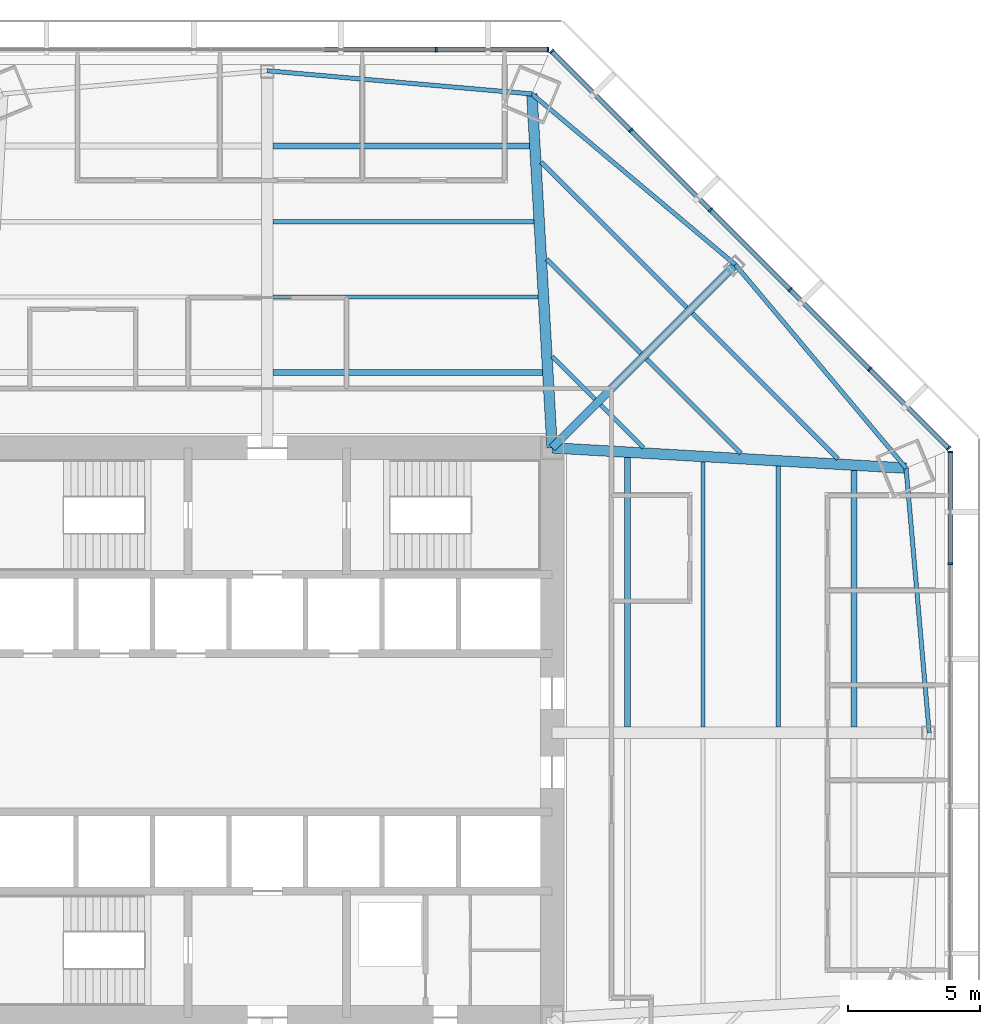
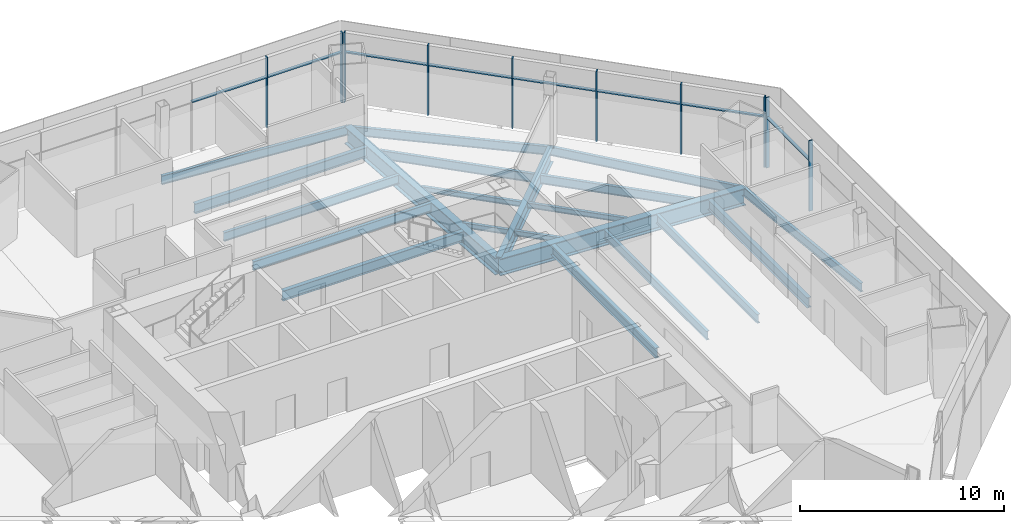
# One storey, part 6 of 15: 21 beams, 18 members, 3 elements without a shape of their own.
"""IFC4 building model written with IfcOpenShell, lengths in metres."""

from ifc_helpers import new_model, si_unit, direction, frame, origin, origin_2d, place, context, subcontext, project, spatial, rectangle, i_section, extrude, source, transform, mapped, material, material_profile, profile_set, type_object, type_shapes, element, aggregate, save


model = new_model("IFC4")

# Units and contexts
model_context = context("Model", 3, precision=1e-05, world=origin(), true_north=direction((0.0, 1.0)))
body_context = subcontext(model_context, "Body", "Model", "MODEL_VIEW")
ifc_project = project(units=[si_unit("LENGTHUNIT", "METRE"), si_unit("AREAUNIT", "SQUARE_METRE"), si_unit("VOLUMEUNIT", "CUBIC_METRE"), si_unit("PLANEANGLEUNIT", "RADIAN"), si_unit("MASSUNIT", "GRAM", prefix="KILO")], contexts=[model_context])

# Site, building, storey
site_placement = place(None, origin())
site = spatial("IfcSite", under=ifc_project, at=site_placement, CompositionType="ELEMENT")
building_placement = place(site_placement, origin())
building = spatial("IfcBuilding", under=site, at=building_placement, Name="Mashrafa Tower", CompositionType="ELEMENT")
storey_placement = place(building_placement, frame((0.0, 0.0, 75.0)))
storey = spatial("IfcBuildingStorey", under=building, at=storey_placement, Name="L16", CompositionType="ELEMENT", Elevation=75.0)

# Beams
ifc_material_1 = material(Name="Steel ASTM A992", Category="steel")
ifc_material_profile_1 = material_profile(ifc_material_1, i_section(OverallWidth=0.164794921875, OverallDepth=0.309814453125, WebThickness=0.005859375, FlangeThickness=0.009765625, FilletRadius=0.007568359375, at=origin_2d()), Name="W12X26")
ifc_profile_set_1 = profile_set([ifc_material_profile_1], Name="Steel ASTM A992")
beam_type_1 = type_object("IfcBeamType", Name="Beam W12X26", PredefinedType="BEAM", material=ifc_profile_set_1)
beam_1_placement = place(storey_placement, frame((10.591552734375, 17.955078125, -0.31982421875), z_axis=(0.707106781187, -0.707106781187, 0.0), x_axis=(0.707106781187, 0.707106781187, 0.0)))
element("IfcBeam", 1, at=beam_1_placement, inside=storey, type_object=beam_type_1, Name="Floor beam L16 036", PredefinedType="BEAM", context=body_context, shape_type="SweptSolid", body=[
    extrude(i_section(OverallWidth=0.164794921875, OverallDepth=0.309814453125, WebThickness=0.005859375, FlangeThickness=0.009765625, FilletRadius=0.007568359375, at=origin_2d()), origin(), (0.0, 0.0, 1.0), 5.054443359375),
])
for number, where, z_axis, x_axis, name in (
    (2, (10.802490234375, 14.27099609375, -0.31982421875), (0.707106781187, -0.707106781187, 0.0), (0.707106781187, 0.707106781187, 0.0), "Floor beam L16 038"),
    (3, (12.64453125, 12.428955078125, -0.31982421875), (0.707106781187, -0.707106781187, 0.0), (0.707106781187, 0.707106781187, 0.0), "Floor beam L16 041"),
):
    element("IfcBeam", number, at=place(storey_placement, frame(where, z_axis=z_axis, x_axis=x_axis)), inside=storey, type_object=beam_type_1, Name=name, PredefinedType="BEAM", context=body_context, shape_type="SweptSolid", body=[
        extrude(i_section(OverallWidth=0.164794921875, OverallDepth=0.309814453125, WebThickness=0.005859375, FlangeThickness=0.009765625, FilletRadius=0.007568359375, at=origin_2d()), origin(), (0.0, 0.0, 1.0), 2.300048828125),
    ])
beam_2_placement = place(storey_placement, frame((14.381103515625, 14.16552734375, -0.31982421875), z_axis=(0.707106781187, -0.707106781187, 0.0), x_axis=(0.707106781187, 0.707106781187, 0.0)))
element("IfcBeam", 4, at=beam_2_placement, inside=storey, type_object=beam_type_1, Name="Floor beam L16 045", PredefinedType="BEAM", context=body_context, shape_type="SweptSolid", body=[
    extrude(i_section(OverallWidth=0.164794921875, OverallDepth=0.309814453125, WebThickness=0.005859375, FlangeThickness=0.009765625, FilletRadius=0.007568359375, at=origin_2d()), origin(), (0.0, 0.0, 1.0), 5.054443359375),
])
ifc_material_2 = material(Name="Steel ASTM A992", Category="steel")
ifc_material_profile_2 = material_profile(ifc_material_2, i_section(OverallWidth=0.165771484375, OverallDepth=0.5283203125, WebThickness=0.009765625, FlangeThickness=0.013671875, FilletRadius=0.012939453125, at=origin_2d()), Name="W21X50")
ifc_profile_set_2 = profile_set([ifc_material_profile_2], Name="Steel ASTM A992")
beam_type_2 = type_object("IfcBeamType", Name="Beam W21X50", PredefinedType="BEAM", material=ifc_profile_set_2)
beam_3_placement = place(storey_placement, frame((0.212158203125, 16.51904296875, -0.42919921875), z_axis=(1.0, 0.0, 0.0), x_axis=(0.0, 1.0, 0.0)))
element("IfcBeam", 5, at=beam_3_placement, inside=storey, type_object=beam_type_2, Name="Floor beam L16 030", PredefinedType="BEAM", context=body_context, shape_type="SweptSolid", body=[
    extrude(i_section(OverallWidth=0.165771484375, OverallDepth=0.5283203125, WebThickness=0.009765625, FlangeThickness=0.013671875, FilletRadius=0.012939453125, at=origin_2d()), origin(), (0.0, 0.0, 1.0), 10.0595703125),
])
beam_4_placement = place(storey_placement, frame((0.212158203125, 19.378662109375, -0.42919921875), z_axis=(1.0, 0.0, 0.0), x_axis=(0.0, 1.0, 0.0)))
element("IfcBeam", 6, at=beam_4_placement, inside=storey, type_object=beam_type_2, Name="Floor beam L16 031", PredefinedType="BEAM", context=body_context, shape_type="SweptSolid", body=[
    extrude(i_section(OverallWidth=0.165771484375, OverallDepth=0.5283203125, WebThickness=0.009765625, FlangeThickness=0.013671875, FilletRadius=0.012939453125, at=origin_2d()), origin(), (0.0, 0.0, 1.0), 9.89599609375),
])
for number, where, z_axis, x_axis, name in (
    (7, (10.380615234375, 21.639404296875, -0.42919921875), (0.707122413556, -0.707091148472, 0.0), (0.707091148472, 0.707122413556, 0.0), "Floor beam L16 034"),
    (8, (16.117919921875, 15.90234375, -0.42919921875), (0.707091148472, -0.707122413556, 0.0), (0.707122413556, 0.707091148472, 0.0), "Floor beam L16 048"),
):
    element("IfcBeam", number, at=place(storey_placement, frame(where, z_axis=z_axis, x_axis=x_axis)), inside=storey, type_object=beam_type_2, Name=name, PredefinedType="BEAM", context=body_context, shape_type="SweptSolid", body=[
        extrude(i_section(OverallWidth=0.165771484375, OverallDepth=0.5283203125, WebThickness=0.009765625, FlangeThickness=0.013671875, FilletRadius=0.012939453125, at=origin_2d()), origin(), (0.0, 0.0, 1.0), 7.808837890625),
    ])
beam_5_placement = place(storey_placement, frame((16.51904296875, 10.271728515625, -0.42919921875), z_axis=(0.0, -1.0, 0.0), x_axis=(1.0, 0.0, 0.0)))
element("IfcBeam", 9, at=beam_5_placement, inside=storey, type_object=beam_type_2, Name="Floor beam L16 050", PredefinedType="BEAM", context=body_context, shape_type="SweptSolid", body=[
    extrude(i_section(OverallWidth=0.165771484375, OverallDepth=0.5283203125, WebThickness=0.009765625, FlangeThickness=0.013671875, FilletRadius=0.012939453125, at=origin_2d()), origin(), (0.0, 0.0, 1.0), 10.0595703125),
])
beam_6_placement = place(storey_placement, frame((19.378662109375, 10.108154296875, -0.42919921875), z_axis=(0.0, -1.0, 0.0), x_axis=(1.0, 0.0, 0.0)))
element("IfcBeam", 10, at=beam_6_placement, inside=storey, type_object=beam_type_2, Name="Floor beam L16 053", PredefinedType="BEAM", context=body_context, shape_type="SweptSolid", body=[
    extrude(i_section(OverallWidth=0.165771484375, OverallDepth=0.5283203125, WebThickness=0.009765625, FlangeThickness=0.013671875, FilletRadius=0.012939453125, at=origin_2d()), origin(), (0.0, 0.0, 1.0), 9.89599609375),
])
beam_7_placement = place(storey_placement, frame((10.031982421875, 24.219482421875, -0.42919921875), z_axis=(-0.996190480079, 0.087203941419, 0.0), x_axis=(-0.087203941419, -0.996190480079, 0.0)))
element("IfcBeam", 11, at=beam_7_placement, inside=storey, type_object=beam_type_2, Name="Spandrel beam L16 083", PredefinedType="BEAM", context=body_context, shape_type="SweptSolid", body=[
    extrude(i_section(OverallWidth=0.165771484375, OverallDepth=0.5283203125, WebThickness=0.009765625, FlangeThickness=0.013671875, FilletRadius=0.012939453125, at=origin_2d()), origin(), (0.0, 0.0, 1.0), 10.0703125),
])
for number, where, z_axis, x_axis, name in (
    (12, (17.746826171875, 17.746826171875, -0.42919921875), (-0.766086799727, 0.642737127669, 0.0), (-0.642737127669, -0.766086799727, 0.0), "Spandrel beam L16 085"),
    (13, (24.219482421875, 10.031982421875, -0.42919921875), (-0.642737127669, 0.766086799727, 0.0), (-0.766086799727, -0.642737127669, 0.0), "Spandrel beam L16 087"),
):
    element("IfcBeam", number, at=place(storey_placement, frame(where, z_axis=z_axis, x_axis=x_axis)), inside=storey, type_object=beam_type_2, Name=name, PredefinedType="BEAM", context=body_context, shape_type="SweptSolid", body=[
        extrude(i_section(OverallWidth=0.165771484375, OverallDepth=0.5283203125, WebThickness=0.009765625, FlangeThickness=0.013671875, FilletRadius=0.012939453125, at=origin_2d()), origin(), (0.0, 0.0, 1.0), 10.070556640625),
    ])
beam_8_placement = place(storey_placement, frame((25.09765625, 0.0, -0.42919921875), z_axis=(-0.087203941419, 0.996190480079, 0.0), x_axis=(-0.996190480079, -0.087203941419, 0.0)))
element("IfcBeam", 14, at=beam_8_placement, inside=storey, type_object=beam_type_2, Name="Spandrel beam L16 088", PredefinedType="BEAM", context=body_context, shape_type="SweptSolid", body=[
    extrude(i_section(OverallWidth=0.165771484375, OverallDepth=0.5283203125, WebThickness=0.009765625, FlangeThickness=0.013671875, FilletRadius=0.012939453125, at=origin_2d()), origin(), (0.0, 0.0, 1.0), 10.0703125),
])
ifc_material_3 = material(Name="Steel ASTM A992", Category="steel")
ifc_material_profile_3 = material_profile(ifc_material_3, i_section(OverallWidth=0.227783203125, OverallDepth=0.60205078125, WebThickness=0.010498046875, FlangeThickness=0.014892578125, FilletRadius=0.012939453125, at=origin_2d()), Name="W24X68")
ifc_profile_set_3 = profile_set([ifc_material_profile_3], Name="Steel ASTM A992")
beam_type_3 = type_object("IfcBeamType", Name="Beam W24X68", PredefinedType="BEAM", material=ifc_profile_set_3)
beam_9_placement = place(storey_placement, frame((0.212158203125, 13.659423828125, -0.466064453125), z_axis=(1.0, 0.0, 0.0), x_axis=(0.0, 1.0, 0.0)))
element("IfcBeam", 15, at=beam_9_placement, inside=storey, type_object=beam_type_3, Name="Floor beam L16 029", PredefinedType="BEAM", context=body_context, shape_type="SweptSolid", body=[
    extrude(i_section(OverallWidth=0.227783203125, OverallDepth=0.60205078125, WebThickness=0.010498046875, FlangeThickness=0.014892578125, FilletRadius=0.012939453125, at=origin_2d()), origin(), (0.0, 0.0, 1.0), 10.22314453125),
])
beam_10_placement = place(storey_placement, frame((0.212158203125, 22.23828125, -0.466064453125), z_axis=(1.0, 0.0, 0.0), x_axis=(0.0, 1.0, 0.0)))
element("IfcBeam", 16, at=beam_10_placement, inside=storey, type_object=beam_type_3, Name="Floor beam L16 032", PredefinedType="BEAM", context=body_context, shape_type="SweptSolid", body=[
    extrude(i_section(OverallWidth=0.227783203125, OverallDepth=0.60205078125, WebThickness=0.010498046875, FlangeThickness=0.014892578125, FilletRadius=0.012939453125, at=origin_2d()), origin(), (0.0, 0.0, 1.0), 9.732421875),
])
beam_11_placement = place(storey_placement, frame((13.659423828125, 10.435302734375, -0.466064453125), z_axis=(0.0, -1.0, 0.0), x_axis=(1.0, 0.0, 0.0)))
element("IfcBeam", 17, at=beam_11_placement, inside=storey, type_object=beam_type_3, Name="Floor beam L16 043", PredefinedType="BEAM", context=body_context, shape_type="SweptSolid", body=[
    extrude(i_section(OverallWidth=0.227783203125, OverallDepth=0.60205078125, WebThickness=0.010498046875, FlangeThickness=0.014892578125, FilletRadius=0.012939453125, at=origin_2d()), origin(), (0.0, 0.0, 1.0), 10.22314453125),
])
beam_12_placement = place(storey_placement, frame((22.23828125, 9.944580078125, -0.466064453125), z_axis=(0.0, -1.0, 0.0), x_axis=(1.0, 0.0, 0.0)))
element("IfcBeam", 18, at=beam_12_placement, inside=storey, type_object=beam_type_3, Name="Floor beam L16 056", PredefinedType="BEAM", context=body_context, shape_type="SweptSolid", body=[
    extrude(i_section(OverallWidth=0.227783203125, OverallDepth=0.60205078125, WebThickness=0.010498046875, FlangeThickness=0.014892578125, FilletRadius=0.012939453125, at=origin_2d()), origin(), (0.0, 0.0, 1.0), 9.732421875),
])
ifc_material_4 = material(Name="Steel ASTM A992", Category="steel")
ifc_material_profile_4 = material_profile(ifc_material_4, i_section(OverallWidth=0.3046875, OverallDepth=0.911865234375, WebThickness=0.015869140625, FlangeThickness=0.02392578125, FilletRadius=0.01904296875, at=origin_2d()), Name="W36X150")
ifc_profile_set_4 = profile_set([ifc_material_profile_4], Name="Steel ASTM A992")
beam_type_4 = type_object("IfcBeamType", Name="Beam W36X150", PredefinedType="BEAM", material=ifc_profile_set_4)
beam_13_placement = place(storey_placement, frame((10.800048828125, 10.800048828125, -0.620849609375), z_axis=(0.707106781187, 0.707106781187, 0.0), x_axis=(-0.707106781187, 0.707106781187, 0.0)))
element("IfcBeam", 19, at=beam_13_placement, inside=storey, type_object=beam_type_4, Name="Radial girder L16 071", PredefinedType="BEAM", context=body_context, shape_type="SweptSolid", body=[
    extrude(i_section(OverallWidth=0.3046875, OverallDepth=0.911865234375, WebThickness=0.015869140625, FlangeThickness=0.02392578125, FilletRadius=0.01904296875, at=origin_2d()), origin(), (0.0, 0.0, 1.0), 9.82421875),
])
ifc_material_5 = material(Name="Steel ASTM A992", Category="steel")
ifc_material_profile_5 = material_profile(ifc_material_5, i_section(OverallWidth=0.4013671875, OverallDepth=1.010986328125, WebThickness=0.023681640625, FlangeThickness=0.0419921875, FilletRadius=0.02001953125, at=origin_2d()), Name="W40X297")
ifc_profile_set_5 = profile_set([ifc_material_profile_5], Name="Steel ASTM A992")
beam_type_5 = type_object("IfcBeamType", Name="Beam W40X297", PredefinedType="BEAM", material=ifc_profile_set_5)
for number, where, z_axis, x_axis, name in (
    (20, (10.800048828125, 10.800048828125, -0.67041015625), (-0.0571418632, 0.99836606887, 0.0), (-0.99836606887, -0.0571418632, 0.0), "Radial girder L16 070"),
    (21, (10.800048828125, 10.800048828125, -0.67041015625), (0.99836606887, -0.0571418632, 0.0), (0.0571418632, 0.99836606887, 0.0), "Radial girder L16 072"),
):
    element("IfcBeam", number, at=place(storey_placement, frame(where, z_axis=z_axis, x_axis=x_axis)), inside=storey, type_object=beam_type_5, Name=name, PredefinedType="BEAM", context=body_context, shape_type="SweptSolid", body=[
        extrude(i_section(OverallWidth=0.4013671875, OverallDepth=1.010986328125, WebThickness=0.023681640625, FlangeThickness=0.0419921875, FilletRadius=0.02001953125, at=origin_2d()), origin(), (0.0, 0.0, 1.0), 13.44140625),
    ])

# Curtain wall, members
ifc_material_6 = material(Name="Unitised aluminium curtain wall", Category="aluminium")
curtain_wall_type = type_object("IfcCurtainWallType", Name="Office curtain wall, zone 1 CW-A 200 deep", PredefinedType="NOTDEFINED", material=ifc_material_6)
curtain_wall_1_placement = place(storey_placement, origin())
curtain_wall_1 = element("IfcCurtainWall", 22, at=curtain_wall_1_placement, inside=storey, type_object=curtain_wall_type, Name="Office curtain wall, zone 1 L16 east", PredefinedType="NOTDEFINED")
ifc_material_7 = material(Name="Extruded aluminium mullion", Category="aluminium")
ifc_material_profile_6 = material_profile(ifc_material_7, rectangle(XDim=0.199951171875, YDim=0.06494140625, at=origin_2d()), Name="Mullion 65x200")
ifc_profile_set_6 = profile_set([ifc_material_profile_6], Name="Extruded aluminium mullion")
member_type_1 = type_object("IfcMemberType", Name="Mullion CW-A 65 x 200", PredefinedType="MULLION", material=ifc_profile_set_6)
shared_shape_1 = source(origin(), body_context, "Body", "SweptSolid", [
    extrude(rectangle(XDim=0.199951171875, YDim=0.06494140625, at=origin_2d()), origin(), (0.0, 0.0, 1.0), 4.199951171875),
])
type_shapes(member_type_1, [shared_shape_1])
member_1_placement = place(storey_placement, frame((25.89306640625, 6.404296875, 0.0), z_axis=(0.0, 0.0, 1.0), x_axis=(-1.0, 0.0, 0.0)))
member_1 = element("IfcMember", 23, at=member_1_placement, type_object=member_type_1, Name="CW-A mullion 5", PredefinedType="MULLION", context=body_context, shape_type="MappedRepresentation", body=[
    mapped(shared_shape_1, transform((0.0, 0.0, 0.0))),
])
member_2_placement = place(storey_placement, frame((25.89306640625, 10.641357421875, 0.0), z_axis=(0.0, 0.0, 1.0), x_axis=(-1.0, 0.0, 0.0)))
member_2 = element("IfcMember", 24, at=member_2_placement, type_object=member_type_1, Name="CW-A mullion 6", PredefinedType="MULLION", context=body_context, shape_type="MappedRepresentation", body=[
    mapped(shared_shape_1, transform((0.0, 0.0, 0.0))),
])

curtain_wall_2_placement = place(storey_placement, origin())
curtain_wall_2 = element("IfcCurtainWall", 25, at=curtain_wall_2_placement, inside=storey, type_object=curtain_wall_type, Name="Office curtain wall, zone 1 L16 north-east", PredefinedType="NOTDEFINED")
member_3_placement = place(storey_placement, frame((25.833740234375, 10.78466796875, 0.0), z_axis=(0.0, 0.0, 1.0), x_axis=(-0.707106781187, -0.707106781187, 0.0)))
member_3 = element("IfcMember", 26, at=member_3_placement, type_object=member_type_1, Name="CW-A mullion 1", PredefinedType="MULLION", context=body_context, shape_type="MappedRepresentation", body=[
    mapped(shared_shape_1, transform((0.0, 0.0, 0.0))),
])
member_4_placement = place(storey_placement, frame((22.837646484375, 13.780517578125, 0.0), z_axis=(0.0, 0.0, 1.0), x_axis=(-0.707106781187, -0.707106781187, 0.0)))
member_4 = element("IfcMember", 27, at=member_4_placement, type_object=member_type_1, Name="CW-A mullion 2", PredefinedType="MULLION", context=body_context, shape_type="MappedRepresentation", body=[
    mapped(shared_shape_1, transform((0.0, 0.0, 0.0))),
])
member_5_placement = place(storey_placement, frame((19.818603515625, 16.799560546875, 0.0), z_axis=(0.0, 0.0, 1.0), x_axis=(-0.707106781187, -0.707106781187, 0.0)))
member_5 = element("IfcMember", 28, at=member_5_placement, type_object=member_type_1, Name="CW-A mullion 3", PredefinedType="MULLION", context=body_context, shape_type="MappedRepresentation", body=[
    mapped(shared_shape_1, transform((0.0, 0.0, 0.0))),
])
member_6_placement = place(storey_placement, frame((16.799560546875, 19.818603515625, 0.0), z_axis=(0.0, 0.0, 1.0), x_axis=(-0.707106781187, -0.707106781187, 0.0)))
member_6 = element("IfcMember", 29, at=member_6_placement, type_object=member_type_1, Name="CW-A mullion 4", PredefinedType="MULLION", context=body_context, shape_type="MappedRepresentation", body=[
    mapped(shared_shape_1, transform((0.0, 0.0, 0.0))),
])
member_7_placement = place(storey_placement, frame((13.780517578125, 22.837646484375, 0.0), z_axis=(0.0, 0.0, 1.0), x_axis=(-0.707106781187, -0.707106781187, 0.0)))
member_7 = element("IfcMember", 30, at=member_7_placement, type_object=member_type_1, Name="CW-A mullion 5", PredefinedType="MULLION", context=body_context, shape_type="MappedRepresentation", body=[
    mapped(shared_shape_1, transform((0.0, 0.0, 0.0))),
])
member_8_placement = place(storey_placement, frame((10.78466796875, 25.833740234375, 0.0), z_axis=(0.0, 0.0, 1.0), x_axis=(-0.707106781187, -0.707106781187, 0.0)))
member_8 = element("IfcMember", 31, at=member_8_placement, type_object=member_type_1, Name="CW-A mullion 6", PredefinedType="MULLION", context=body_context, shape_type="MappedRepresentation", body=[
    mapped(shared_shape_1, transform((0.0, 0.0, 0.0))),
])

curtain_wall_3_placement = place(storey_placement, origin())
curtain_wall_3 = element("IfcCurtainWall", 32, at=curtain_wall_3_placement, inside=storey, type_object=curtain_wall_type, Name="Office curtain wall, zone 1 L16 north", PredefinedType="NOTDEFINED")
member_9_placement = place(storey_placement, frame((10.641357421875, 25.89306640625, 0.0), z_axis=(0.0, 0.0, 1.0), x_axis=(0.0, -1.0, 0.0)))
member_9 = element("IfcMember", 33, at=member_9_placement, type_object=member_type_1, Name="CW-A mullion 1", PredefinedType="MULLION", context=body_context, shape_type="MappedRepresentation", body=[
    mapped(shared_shape_1, transform((0.0, 0.0, 0.0))),
])
member_10_placement = place(storey_placement, frame((6.404296875, 25.89306640625, 0.0), z_axis=(0.0, 0.0, 1.0), x_axis=(0.0, -1.0, 0.0)))
member_10 = element("IfcMember", 34, at=member_10_placement, type_object=member_type_1, Name="CW-A mullion 2", PredefinedType="MULLION", context=body_context, shape_type="MappedRepresentation", body=[
    mapped(shared_shape_1, transform((0.0, 0.0, 0.0))),
])

# Member
ifc_material_8 = material(Name="Extruded aluminium transom", Category="aluminium")
ifc_material_profile_7 = material_profile(ifc_material_8, rectangle(XDim=0.159912109375, YDim=0.080078125, at=origin_2d()), Name="Transom 80x160")
ifc_profile_set_7 = profile_set([ifc_material_profile_7], Name="Extruded aluminium transom")
member_type_2 = type_object("IfcMemberType", Name="Transom CW-A 80 x 160", PredefinedType="MULLION", material=ifc_profile_set_7)
shared_shape_2 = source(origin(), body_context, "Body", "SweptSolid", [
    extrude(rectangle(XDim=0.159912109375, YDim=0.080078125, at=origin_2d()), origin(), (0.0, 0.0, 1.0), 4.172119140625),
])
member_11_placement = place(storey_placement, frame((25.89306640625, 6.436767578125, 3.0), z_axis=(0.0, 1.0, 0.0), x_axis=(-1.0, 0.0, 0.0)))
member_11 = element("IfcMember", 35, at=member_11_placement, type_object=member_type_2, Name="CW-A transom 5", PredefinedType="MULLION", context=body_context, shape_type="MappedRepresentation", body=[
    mapped(shared_shape_2, transform((0.0, 0.0, 0.0))),
])

aggregate(curtain_wall_1, [member_1, member_2, member_11])

member_12_placement = place(storey_placement, frame((25.810791015625, 10.8076171875, 3.0), z_axis=(-0.707136039769, 0.707077521394, 0.0), x_axis=(-0.707077521394, -0.707136039769, 0.0)))
member_12 = element("IfcMember", 36, at=member_12_placement, type_object=member_type_2, Name="CW-A transom 1", PredefinedType="MULLION", context=body_context, shape_type="MappedRepresentation", body=[
    mapped(shared_shape_2, transform((0.0, 0.0, 0.0))),
])

member_13_placement = place(storey_placement, frame((13.757568359375, 22.860595703125, 3.0), z_axis=(-0.707077521394, 0.707136039769, 0.0), x_axis=(-0.707136039769, -0.707077521394, 0.0)))
member_13 = element("IfcMember", 37, at=member_13_placement, type_object=member_type_2, Name="CW-A transom 5", PredefinedType="MULLION", context=body_context, shape_type="MappedRepresentation", body=[
    mapped(shared_shape_2, transform((0.0, 0.0, 0.0))),
])

member_14_placement = place(storey_placement, frame((10.60888671875, 25.89306640625, 3.0), z_axis=(-1.0, 0.0, 0.0), x_axis=(0.0, -1.0, 0.0)))
member_14 = element("IfcMember", 38, at=member_14_placement, type_object=member_type_2, Name="CW-A transom 1", PredefinedType="MULLION", context=body_context, shape_type="MappedRepresentation", body=[
    mapped(shared_shape_2, transform((0.0, 0.0, 0.0))),
])

shared_shape_3 = source(origin(), body_context, "Body", "SweptSolid", [
    extrude(rectangle(XDim=0.159912109375, YDim=0.080078125, at=origin_2d()), origin(), (0.0, 0.0, 1.0), 4.20458984375),
])
member_15_placement = place(storey_placement, frame((22.814697265625, 13.8037109375, 3.0), z_axis=(-0.707135813922, 0.707077747259, 0.0), x_axis=(-0.707077747259, -0.707135813922, 0.0)))
member_15 = element("IfcMember", 39, at=member_15_placement, type_object=member_type_2, Name="CW-A transom 2", PredefinedType="MULLION", context=body_context, shape_type="MappedRepresentation", body=[
    mapped(shared_shape_3, transform((0.0, 0.0, 0.0))),
])

member_16_placement = place(storey_placement, frame((16.776611328125, 19.841552734375, 3.0), z_axis=(-0.707077747259, 0.707135813922, 0.0), x_axis=(-0.707135813922, -0.707077747259, 0.0)))
member_16 = element("IfcMember", 40, at=member_16_placement, type_object=member_type_2, Name="CW-A transom 4", PredefinedType="MULLION", context=body_context, shape_type="MappedRepresentation", body=[
    mapped(shared_shape_3, transform((0.0, 0.0, 0.0))),
])

member_17_placement = place(storey_placement, frame((6.371826171875, 25.89306640625, 3.0), z_axis=(-1.0, 0.0, 0.0), x_axis=(0.0, -1.0, 0.0)))
member_17 = element("IfcMember", 41, at=member_17_placement, type_object=member_type_2, Name="CW-A transom 2", PredefinedType="MULLION", context=body_context, shape_type="MappedRepresentation", body=[
    mapped(shared_shape_3, transform((0.0, 0.0, 0.0))),
])

aggregate(curtain_wall_3, [member_9, member_10, member_14, member_17])

shared_shape_4 = source(origin(), body_context, "Body", "SweptSolid", [
    extrude(rectangle(XDim=0.159912109375, YDim=0.080078125, at=origin_2d()), origin(), (0.0, 0.0, 1.0), 4.204345703125),
])
type_shapes(member_type_2, [shared_shape_2, shared_shape_3, shared_shape_4])
member_18_placement = place(storey_placement, frame((19.795654296875, 16.82275390625, 3.0), z_axis=(-0.707106781187, 0.707106781187, 0.0), x_axis=(-0.707106781187, -0.707106781187, 0.0)))
member_18 = element("IfcMember", 42, at=member_18_placement, type_object=member_type_2, Name="CW-A transom 3", PredefinedType="MULLION", context=body_context, shape_type="MappedRepresentation", body=[
    mapped(shared_shape_4, transform((0.0, 0.0, 0.0))),
])

aggregate(curtain_wall_2, [member_3, member_4, member_5, member_6, member_7, member_8, member_12, member_15, member_18, member_16, member_13])

save(model, "model.ifc")
